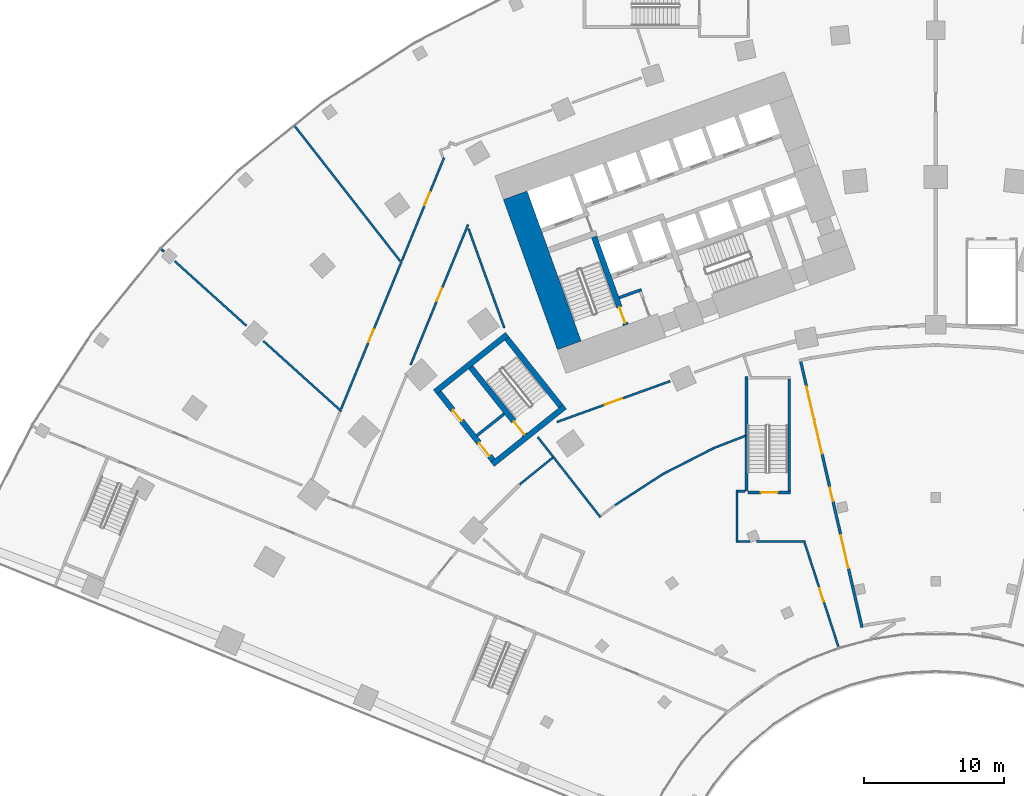
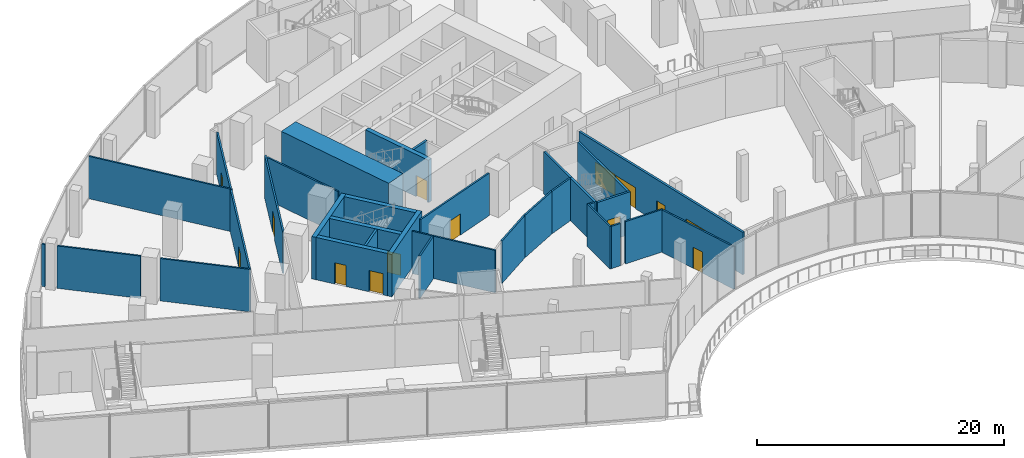
# One storey, part 22 of 40: 34 walls, 14 doors, 14 openings.
"""IFC4 building model written with IfcOpenShell, lengths in metres."""

from ifc_helpers import new_model, si_unit, direction, frame, frame_2d, origin, place, context, subcontext, project, spatial, rectangle, extrude, material, layer, layer_set, type_object, element, fill, save


model = new_model("IFC4")

# Units and contexts
model_context = context("Model", 3, precision=1e-05, world=origin(), true_north=direction((0.0, 1.0)))
body_context = subcontext(model_context, "Body", "Model", "MODEL_VIEW")
ifc_project = project(units=[si_unit("LENGTHUNIT", "METRE"), si_unit("AREAUNIT", "SQUARE_METRE"), si_unit("VOLUMEUNIT", "CUBIC_METRE"), si_unit("PLANEANGLEUNIT", "RADIAN"), si_unit("MASSUNIT", "GRAM", prefix="KILO")], contexts=[model_context])

# Site, building, storey
site_placement = place(None, origin())
site = spatial("IfcSite", under=ifc_project, at=site_placement, CompositionType="ELEMENT")
building_placement = place(site_placement, origin())
building = spatial("IfcBuilding", under=site, at=building_placement, Name="Stone Belt Terrace Tower", CompositionType="ELEMENT")
storey_placement = place(building_placement, frame((0.0, 0.0, 11.60009765625)))
storey = spatial("IfcBuildingStorey", under=building, at=storey_placement, Name="L02", CompositionType="ELEMENT", Elevation=11.60009765625)

# Wall
ifc_material_1 = material(Name="Concrete B80", Category="concrete")
ifc_layer_1 = layer(ifc_material_1, 1.800048828125)
ifc_layer_set_1 = layer_set([ifc_layer_1], Name="Core wall 1800 B80")
wall_type_1 = type_object("IfcWallType", Name="Core wall 1800 B80", PredefinedType="SHEAR", material=ifc_layer_set_1)
wall_1_placement = place(storey_placement, frame((-26.197509765625, 42.96728515625, 0.0), z_axis=(0.0, 0.0, 1.0), x_axis=(-0.338625431531, 0.940921259788, 0.0)))
element("IfcWall", 1, at=wall_1_placement, inside=storey, type_object=wall_type_1, Name="Core A wall end_a L02", PredefinedType="SHEAR", context=body_context, shape_type="SweptSolid", body=[
    extrude(rectangle(XDim=11.400146484375, YDim=1.800048828125, at=frame_2d((5.7001953125, 0.0))), origin(), (0.0, 0.0, 1.0), 4.599853515625),
])

# Wall, openings, doors
ifc_material_2 = material(Name="Blockwork wall, plastered both faces", Category="masonry")
ifc_layer_2 = layer(ifc_material_2, 0.199951171875)
ifc_layer_set_2 = layer_set([ifc_layer_2], Name="Podium demising wall 200")
wall_type_2 = type_object("IfcWallType", Name="Podium demising wall 200", PredefinedType="PARTITIONING", material=ifc_layer_set_2)
wall_2_placement = place(storey_placement, frame((-9.6474609375, 41.802490234375, 0.0), z_axis=(0.0, 0.0, 1.0), x_axis=(0.224629055361, -0.974444348071, 0.0)))
wall_2 = element("IfcWall", 2, at=wall_2_placement, inside=storey, type_object=wall_type_2, Name="Podium demising wall 200", PredefinedType="PARTITIONING", context=body_context, shape_type="SweptSolid", body=[
    extrude(rectangle(XDim=19.498291015625, YDim=0.199951171875, at=frame_2d((9.7490234375, 0.0))), origin(), (0.0, 0.0, 1.0), 4.199951171875),
])
opening_1_placement = place(wall_2_placement, frame((9.249267578125, 0.0, 0.0)))
opening_1 = element("IfcOpeningElement", 3, at=opening_1_placement, cuts=wall_2, Name="Opening L02-P11", PredefinedType="OPENING", context=body_context, shape_type="SweptSolid", body=[
    extrude(rectangle(XDim=1.0, YDim=2.10009765625, at=frame_2d((0.5, 1.050048828125))), frame((0.0, 0.10986328125, 0.0), z_axis=(0.0, -1.0, 0.0), x_axis=(1.0, 0.0, 0.0)), (0.0, 0.0, 1.0), 0.219970703125),
])
opening_2_placement = place(wall_2_placement, frame((4.349609375, 0.0, 0.0)))
opening_2 = element("IfcOpeningElement", 4, at=opening_2_placement, cuts=wall_2, Name="Opening L02-P42", PredefinedType="OPENING", context=body_context, shape_type="SweptSolid", body=[
    extrude(rectangle(XDim=2.39990234375, YDim=2.10009765625, at=frame_2d((1.199951171875, 1.050048828125))), frame((0.0, 0.10986328125, 0.0), z_axis=(0.0, -1.0, 0.0), x_axis=(1.0, 0.0, 0.0)), (0.0, 0.0, 1.0), 0.219970703125),
])
opening_3_placement = place(wall_2_placement, frame((12.748779296875, 0.0, 0.0)))
opening_3 = element("IfcOpeningElement", 5, at=opening_3_placement, cuts=wall_2, Name="Opening L02-P43", PredefinedType="OPENING", context=body_context, shape_type="SweptSolid", body=[
    extrude(rectangle(XDim=2.39990234375, YDim=2.10009765625, at=frame_2d((1.199951171875, 1.050048828125))), frame((0.0, 0.10986328125, 0.0), z_axis=(0.0, -1.0, 0.0), x_axis=(1.0, 0.0, 0.0)), (0.0, 0.0, 1.0), 0.219970703125),
])
opening_4_placement = place(wall_2_placement, frame((1.829833984375, 0.0, 0.0)))
opening_4 = element("IfcOpeningElement", 6, at=opening_4_placement, cuts=wall_2, Name="Opening L02-P44", PredefinedType="OPENING", context=body_context, shape_type="SweptSolid", body=[
    extrude(rectangle(XDim=2.39990234375, YDim=2.10009765625, at=frame_2d((1.199951171875, 1.050048828125))), frame((0.0, 0.10986328125, 0.0), z_axis=(0.0, -1.0, 0.0), x_axis=(1.0, 0.0, 0.0)), (0.0, 0.0, 1.0), 0.219970703125),
])
ifc_material_3 = material(Name="Steel framed door leaf", Category="steel")
door_type_1 = type_object("IfcDoorType", Name="Podium door assembly double 2400 x 2100", OperationType="DOUBLE_DOOR_SINGLE_SWING", PredefinedType="DOOR", material=ifc_material_3)
door_1_placement = place(opening_2_placement, origin())
door_1 = element("IfcDoor", 7, at=door_1_placement, inside=storey, type_object=door_type_1, Name="Podium door assembly double 2400", OperationType="DOUBLE_DOOR_SINGLE_SWING", OverallHeight=2.10009765625, OverallWidth=2.39990234375, PredefinedType="DOOR", context=body_context, shape_type="SweptSolid", body=[
    extrude(rectangle(XDim=2.39990234375, YDim=2.10009765625, at=frame_2d((1.199951171875, 1.050048828125))), frame((0.0, 0.02490234375, 0.0), z_axis=(0.0, -1.0, 0.0), x_axis=(1.0, 0.0, 0.0)), (0.0, 0.0, 1.0), 0.050048828125),
])
fill(opening_2, door_1)
door_2_placement = place(opening_3_placement, origin())
door_2 = element("IfcDoor", 8, at=door_2_placement, inside=storey, type_object=door_type_1, Name="Podium door assembly double 2400", OperationType="DOUBLE_DOOR_SINGLE_SWING", OverallHeight=2.10009765625, OverallWidth=2.39990234375, PredefinedType="DOOR", context=body_context, shape_type="SweptSolid", body=[
    extrude(rectangle(XDim=2.39990234375, YDim=2.10009765625, at=frame_2d((1.199951171875, 1.050048828125))), frame((0.0, 0.02490234375, 0.0), z_axis=(0.0, -1.0, 0.0), x_axis=(1.0, 0.0, 0.0)), (0.0, 0.0, 1.0), 0.050048828125),
])
fill(opening_3, door_2)
door_3_placement = place(opening_4_placement, origin())
door_3 = element("IfcDoor", 9, at=door_3_placement, inside=storey, type_object=door_type_1, Name="Podium door assembly double 2400", OperationType="DOUBLE_DOOR_SINGLE_SWING", OverallHeight=2.10009765625, OverallWidth=2.39990234375, PredefinedType="DOOR", context=body_context, shape_type="SweptSolid", body=[
    extrude(rectangle(XDim=2.39990234375, YDim=2.10009765625, at=frame_2d((1.199951171875, 1.050048828125))), frame((0.0, 0.02490234375, 0.0), z_axis=(0.0, -1.0, 0.0), x_axis=(1.0, 0.0, 0.0)), (0.0, 0.0, 1.0), 0.050048828125),
])
fill(opening_4, door_3)
door_type_2 = type_object("IfcDoorType", Name="Podium door single 1000", OperationType="SINGLE_SWING_LEFT", PredefinedType="DOOR", material=ifc_material_3)
door_4_placement = place(opening_1_placement, origin())
door_4 = element("IfcDoor", 10, at=door_4_placement, inside=storey, type_object=door_type_2, Name="Podium door single 1000", OperationType="SINGLE_SWING_LEFT", OverallHeight=2.10009765625, OverallWidth=1.0, PredefinedType="DOOR", context=body_context, shape_type="SweptSolid", body=[
    extrude(rectangle(XDim=1.0, YDim=2.10009765625, at=frame_2d((0.5, 1.050048828125))), frame((0.0, 0.02490234375, 0.0), z_axis=(0.0, -1.0, 0.0), x_axis=(1.0, 0.0, 0.0)), (0.0, 0.0, 1.0), 0.050048828125),
])
fill(opening_1, door_4)

# Walls
ifc_material_4 = material(Name="Gypsum board on steel stud partition", Category="steel")
ifc_layer_3 = layer(ifc_material_4, 0.14990234375)
ifc_layer_set_3 = layer_set([ifc_layer_3], Name="Podium partition 150")
wall_type_3 = type_object("IfcWallType", Name="Podium partition 150", PredefinedType="PARTITIONING", material=ifc_layer_set_3)
wall_3_placement = place(storey_placement, frame((-55.362548828125, 49.852294921875, 0.0), z_axis=(0.0, 0.0, 1.0), x_axis=(0.742923696938, -0.669376112905, 0.0)))
element("IfcWall", 11, at=wall_3_placement, inside=storey, type_object=wall_type_3, Name="Podium partition 150", PredefinedType="PARTITIONING", context=body_context, shape_type="SweptSolid", body=[
    extrude(rectangle(XDim=0.26220703125, YDim=0.14990234375, at=frame_2d((0.131103515625, 0.0))), origin(), (0.0, 0.0, 1.0), 4.199951171875),
])
wall_4_placement = place(storey_placement, frame((-54.409912109375, 48.994140625, 0.0), z_axis=(0.0, 0.0, 1.0), x_axis=(0.742967717322, -0.669327252559, 0.0)))
element("IfcWall", 12, at=wall_4_placement, inside=storey, type_object=wall_type_3, Name="Podium partition 150", PredefinedType="PARTITIONING", context=body_context, shape_type="SweptSolid", body=[
    extrude(rectangle(XDim=6.9189453125, YDim=0.14990234375, at=frame_2d((3.45947265625, 0.0))), origin(), (0.0, 0.0, 1.0), 4.199951171875),
])
wall_5_placement = place(storey_placement, frame((-48.065673828125, 43.27880859375, 0.0), z_axis=(0.0, 0.0, 1.0), x_axis=(0.742978582144, -0.669315192174, 0.0)))
element("IfcWall", 13, at=wall_5_placement, inside=storey, type_object=wall_type_3, Name="Podium partition 150", PredefinedType="PARTITIONING", context=body_context, shape_type="SweptSolid", body=[
    extrude(rectangle(XDim=7.50341796875, YDim=0.14990234375, at=frame_2d((3.751708984375, 0.0))), origin(), (0.0, 0.0, 1.0), 4.199951171875),
])
wall_6_placement = place(storey_placement, frame((-45.868896484375, 58.705078125, 0.0), z_axis=(0.0, 0.0, 1.0), x_axis=(0.615577105383, -0.788076663357, 0.0)))
element("IfcWall", 14, at=wall_6_placement, inside=storey, type_object=wall_type_3, Name="Podium partition 150", PredefinedType="PARTITIONING", context=body_context, shape_type="SweptSolid", body=[
    extrude(rectangle(XDim=12.5283203125, YDim=0.14990234375, at=frame_2d((6.26416015625, 0.0))), origin(), (0.0, 0.0, 1.0), 4.199951171875),
])

# Wall, opening, door
wall_7_placement = place(storey_placement, frame((-42.50927734375, 38.40966796875, 0.0), z_axis=(0.0, 0.0, 1.0), x_axis=(0.378917297075, 0.92543053871, 0.0)))
wall_7 = element("IfcWall", 15, at=wall_7_placement, inside=storey, type_object=wall_type_3, Name="Podium partition 150", PredefinedType="PARTITIONING", context=body_context, shape_type="SweptSolid", body=[
    extrude(rectangle(XDim=11.228515625, YDim=0.14990234375, at=frame_2d((5.6142578125, 0.0))), origin(), (0.0, 0.0, 1.0), 4.199951171875),
])
opening_5_placement = place(wall_7_placement, frame((5.1591796875, 0.0, 0.0)))
opening_5 = element("IfcOpeningElement", 16, at=opening_5_placement, cuts=wall_7, Name="Opening L02-P23", PredefinedType="OPENING", context=body_context, shape_type="SweptSolid", body=[
    extrude(rectangle(XDim=1.0, YDim=2.10009765625, at=frame_2d((0.5, 1.050048828125))), frame((0.0, 0.0849609375, 0.0), z_axis=(0.0, -1.0, 0.0), x_axis=(1.0, 0.0, 0.0)), (0.0, 0.0, 1.0), 0.169921875),
])
door_5_placement = place(opening_5_placement, origin())
door_5 = element("IfcDoor", 17, at=door_5_placement, inside=storey, type_object=door_type_2, Name="Podium door single 1000", OperationType="SINGLE_SWING_LEFT", OverallHeight=2.10009765625, OverallWidth=1.0, PredefinedType="DOOR", context=body_context, shape_type="SweptSolid", body=[
    extrude(rectangle(XDim=1.0, YDim=2.10009765625, at=frame_2d((0.5, 1.050048828125))), frame((0.0, 0.02490234375, 0.0), z_axis=(0.0, -1.0, 0.0), x_axis=(1.0, 0.0, 0.0)), (0.0, 0.0, 1.0), 0.050048828125),
])
fill(opening_5, door_5)

wall_8_placement = place(storey_placement, frame((-37.53515625, 41.58251953125, 0.0), z_axis=(0.0, 0.0, 1.0), x_axis=(0.379278787713, 0.925282444009, 0.0)))
wall_8 = element("IfcWall", 18, at=wall_8_placement, inside=storey, type_object=wall_type_3, Name="Podium partition 150", PredefinedType="PARTITIONING", context=body_context, shape_type="SweptSolid", body=[
    extrude(rectangle(XDim=10.830322265625, YDim=0.14990234375, at=frame_2d((5.4150390625, 0.0))), origin(), (0.0, 0.0, 1.0), 4.199951171875),
])
opening_6_placement = place(wall_8_placement, frame((4.9150390625, 0.0, 0.0)))
opening_6 = element("IfcOpeningElement", 19, at=opening_6_placement, cuts=wall_8, Name="Opening L02-P25", PredefinedType="OPENING", context=body_context, shape_type="SweptSolid", body=[
    extrude(rectangle(XDim=1.0, YDim=2.10009765625, at=frame_2d((0.5, 1.050048828125))), frame((0.0, 0.0849609375, 0.0), z_axis=(0.0, -1.0, 0.0), x_axis=(1.0, 0.0, 0.0)), (0.0, 0.0, 1.0), 0.169921875),
])
door_6_placement = place(opening_6_placement, origin())
door_6 = element("IfcDoor", 20, at=door_6_placement, inside=storey, type_object=door_type_2, Name="Podium door single 1000", OperationType="SINGLE_SWING_LEFT", OverallHeight=2.10009765625, OverallWidth=1.0, PredefinedType="DOOR", context=body_context, shape_type="SweptSolid", body=[
    extrude(rectangle(XDim=1.0, YDim=2.10009765625, at=frame_2d((0.5, 1.050048828125))), frame((0.0, 0.02490234375, 0.0), z_axis=(0.0, -1.0, 0.0), x_axis=(1.0, 0.0, 0.0)), (0.0, 0.0, 1.0), 0.050048828125),
])
fill(opening_6, door_6)

wall_9_placement = place(storey_placement, frame((-38.161376953125, 49.018798828125, 0.0), z_axis=(0.0, 0.0, 1.0), x_axis=(0.378710493951, 0.925515187218, 0.0)))
wall_9 = element("IfcWall", 21, at=wall_9_placement, inside=storey, type_object=wall_type_3, Name="Podium partition 150", PredefinedType="PARTITIONING", context=body_context, shape_type="SweptSolid", body=[
    extrude(rectangle(XDim=7.957763671875, YDim=0.14990234375, at=frame_2d((3.97900390625, 0.0))), origin(), (0.0, 0.0, 1.0), 4.199951171875),
])
opening_7_placement = place(wall_9_placement, frame((4.29541015625, 0.0, 0.0)))
opening_7 = element("IfcOpeningElement", 22, at=opening_7_placement, cuts=wall_9, Name="Opening L02-P26", PredefinedType="OPENING", context=body_context, shape_type="SweptSolid", body=[
    extrude(rectangle(XDim=1.0, YDim=2.10009765625, at=frame_2d((0.5, 1.050048828125))), frame((0.0, 0.0849609375, 0.0), z_axis=(0.0, -1.0, 0.0), x_axis=(1.0, 0.0, 0.0)), (0.0, 0.0, 1.0), 0.169921875),
])
door_7_placement = place(opening_7_placement, origin())
door_7 = element("IfcDoor", 23, at=door_7_placement, inside=storey, type_object=door_type_2, Name="Podium door single 1000", OperationType="SINGLE_SWING_RIGHT", OverallHeight=2.10009765625, OverallWidth=1.0, PredefinedType="DOOR", context=body_context, shape_type="SweptSolid", body=[
    extrude(rectangle(XDim=1.0, YDim=2.10009765625, at=frame_2d((0.5, 1.050048828125))), frame((0.0, 0.02490234375, 0.0), z_axis=(0.0, -1.0, 0.0), x_axis=(1.0, 0.0, 0.0)), (0.0, 0.0, 1.0), 0.050048828125),
])
fill(opening_7, door_7)

# Walls
wall_10_placement = place(storey_placement, frame((-33.404296875, 51.317626953125, 0.0), z_axis=(0.0, 0.0, 1.0), x_axis=(0.339357821351, -0.940657360088, 0.0)))
element("IfcWall", 24, at=wall_10_placement, inside=storey, type_object=wall_type_3, Name="Podium partition 150", PredefinedType="PARTITIONING", context=body_context, shape_type="SweptSolid", body=[
    extrude(rectangle(XDim=7.55615234375, YDim=0.14990234375, at=frame_2d((3.778076171875, 0.0))), origin(), (0.0, 0.0, 1.0), 4.199951171875),
])
wall_11_placement = place(storey_placement, frame((-29.73681640625, 33.032470703125, 0.0), z_axis=(0.0, 0.0, 1.0), x_axis=(0.777387872462, 0.629021538383, 0.0)))
element("IfcWall", 25, at=wall_11_placement, inside=storey, type_object=wall_type_3, Name="Podium partition 150", PredefinedType="PARTITIONING", context=body_context, shape_type="SweptSolid", body=[
    extrude(rectangle(XDim=3.021240234375, YDim=0.14990234375, at=frame_2d((1.5107421875, 0.0))), origin(), (0.0, 0.0, 1.0), 4.199951171875),
])
wall_12_placement = place(storey_placement, frame((-28.449951171875, 36.409912109375, 0.0), z_axis=(0.0, 0.0, 1.0), x_axis=(0.61658005708, -0.787292215897, 0.0)))
element("IfcWall", 26, at=wall_12_placement, inside=storey, type_object=wall_type_3, Name="Podium partition 150", PredefinedType="PARTITIONING", context=body_context, shape_type="SweptSolid", body=[
    extrude(rectangle(XDim=1.816162109375, YDim=0.14990234375, at=frame_2d((0.908203125, 0.0))), origin(), (0.0, 0.0, 1.0), 4.199951171875),
])
wall_13_placement = place(storey_placement, frame((-27.330078125, 34.97998046875, 0.0), z_axis=(0.0, 0.0, 1.0), x_axis=(0.615614582687, -0.788047387904, 0.0)))
element("IfcWall", 27, at=wall_13_placement, inside=storey, type_object=wall_type_3, Name="Podium partition 150", PredefinedType="PARTITIONING", context=body_context, shape_type="SweptSolid", body=[
    extrude(rectangle(XDim=5.468017578125, YDim=0.14990234375, at=frame_2d((2.73388671875, 0.0))), origin(), (0.0, 0.0, 1.0), 4.199951171875),
])

# Wall, opening, door
wall_14_placement = place(storey_placement, frame((-27.080078125, 37.489990234375, 0.0), z_axis=(0.0, 0.0, 1.0), x_axis=(0.940715457959, 0.339196738129, 0.0)))
wall_14 = element("IfcWall", 28, at=wall_14_placement, inside=storey, type_object=wall_type_3, Name="Podium partition 150", PredefinedType="PARTITIONING", context=body_context, shape_type="SweptSolid", body=[
    extrude(rectangle(XDim=8.603271484375, YDim=0.14990234375, at=frame_2d((4.3017578125, 0.0))), origin(), (0.0, 0.0, 1.0), 4.199951171875),
])
opening_8_placement = place(wall_14_placement, frame((3.651611328125, 0.0, 0.0)))
opening_8 = element("IfcOpeningElement", 29, at=opening_8_placement, cuts=wall_14, Name="Opening L02-P27", PredefinedType="OPENING", context=body_context, shape_type="SweptSolid", body=[
    extrude(rectangle(XDim=1.300048828125, YDim=2.10009765625, at=frame_2d((0.64990234375, 1.050048828125))), frame((0.0, 0.0849609375, 0.0), z_axis=(0.0, -1.0, 0.0), x_axis=(1.0, 0.0, 0.0)), (0.0, 0.0, 1.0), 0.169921875),
])
ifc_material_5 = material(Name="Steel framed fire door leaf", Category="steel")
door_type_3 = type_object("IfcDoorType", Name="Fire door 1300 x 2100 EI 60", OperationType="SINGLE_SWING_LEFT", PredefinedType="DOOR", material=ifc_material_5)
door_8_placement = place(opening_8_placement, origin())
door_8 = element("IfcDoor", 30, at=door_8_placement, inside=storey, type_object=door_type_3, Name="Fire door 1300 x 2100 EI 60", OperationType="SINGLE_SWING_LEFT", OverallHeight=2.10009765625, OverallWidth=1.300048828125, PredefinedType="DOOR", context=body_context, shape_type="SweptSolid", body=[
    extrude(rectangle(XDim=1.300048828125, YDim=2.10009765625, at=frame_2d((0.64990234375, 1.050048828125))), frame((0.0, 0.02490234375, 0.0), z_axis=(0.0, -1.0, 0.0), x_axis=(1.0, 0.0, 0.0)), (0.0, 0.0, 1.0), 0.050048828125),
])
fill(opening_8, door_8)

# Walls
wall_15_placement = place(storey_placement, frame((-22.917724609375, 31.551513671875, 0.0), z_axis=(0.0, 0.0, 1.0), x_axis=(0.838779181178, 0.544471748783, 0.0)))
element("IfcWall", 31, at=wall_15_placement, inside=storey, type_object=wall_type_3, Name="Podium partition 150", PredefinedType="PARTITIONING", context=body_context, shape_type="SweptSolid", body=[
    extrude(rectangle(XDim=4.070556640625, YDim=0.14990234375, at=frame_2d((2.03515625, 0.0))), origin(), (0.0, 0.0, 1.0), 4.199951171875),
])
wall_16_placement = place(storey_placement, frame((-19.49658203125, 33.771728515625, 0.0), z_axis=(0.0, 0.0, 1.0), x_axis=(0.89047940562, 0.455023546827, 0.0)))
element("IfcWall", 32, at=wall_16_placement, inside=storey, type_object=wall_type_3, Name="Podium partition 150", PredefinedType="PARTITIONING", context=body_context, shape_type="SweptSolid", body=[
    extrude(rectangle(XDim=4.079833984375, YDim=0.14990234375, at=frame_2d((2.0400390625, 0.0))), origin(), (0.0, 0.0, 1.0), 4.199951171875),
])
wall_17_placement = place(storey_placement, frame((-15.8564453125, 35.63134765625, 0.0), z_axis=(0.0, 0.0, 1.0), x_axis=(0.932822255323, 0.360336842377, 0.0)))
element("IfcWall", 33, at=wall_17_placement, inside=storey, type_object=wall_type_3, Name="Podium partition 150", PredefinedType="PARTITIONING", context=body_context, shape_type="SweptSolid", body=[
    extrude(rectangle(XDim=2.397216796875, YDim=0.14990234375, at=frame_2d((1.19873046875, 0.0))), origin(), (0.0, 0.0, 1.0), 4.199951171875),
])
wall_18_placement = place(storey_placement, frame((-14.199951171875, 28.864990234375, 0.0), z_axis=(0.0, 0.0, 1.0), x_axis=(0.0, 1.0, 0.0)))
element("IfcWall", 34, at=wall_18_placement, inside=storey, type_object=wall_type_3, Name="Podium partition 150", PredefinedType="PARTITIONING", context=body_context, shape_type="SweptSolid", body=[
    extrude(rectangle(XDim=3.75, YDim=0.14990234375, at=frame_2d((1.875, 0.0))), origin(), (0.0, 0.0, 1.0), 4.199951171875),
])
wall_19_placement = place(storey_placement, frame((-14.125, 28.93994140625, 0.0), z_axis=(0.0, 0.0, 1.0), x_axis=(1.0, 0.0, 0.0)))
element("IfcWall", 35, at=wall_19_placement, inside=storey, type_object=wall_type_3, Name="Podium partition 150", PredefinedType="PARTITIONING", context=body_context, shape_type="SweptSolid", body=[
    extrude(rectangle(XDim=0.83544921875, YDim=0.14990234375, at=frame_2d((0.417724609375, 0.0))), origin(), (0.0, 0.0, 1.0), 4.199951171875),
])
wall_20_placement = place(storey_placement, frame((-12.822998046875, 28.93994140625, 0.0), z_axis=(0.0, 0.0, 1.0), x_axis=(1.0, 0.0, 0.0)))
element("IfcWall", 36, at=wall_20_placement, inside=storey, type_object=wall_type_3, Name="Podium partition 150", PredefinedType="PARTITIONING", context=body_context, shape_type="SweptSolid", body=[
    extrude(rectangle(XDim=3.501953125, YDim=0.14990234375, at=frame_2d((1.7509765625, 0.0))), origin(), (0.0, 0.0, 1.0), 4.199951171875),
])
wall_21_placement = place(storey_placement, frame((-14.125, 32.5400390625, 0.0), z_axis=(0.0, 0.0, 1.0), x_axis=(1.0, 0.0, 0.0)))
element("IfcWall", 37, at=wall_21_placement, inside=storey, type_object=wall_type_3, Name="Podium partition 150", PredefinedType="PARTITIONING", context=body_context, shape_type="SweptSolid", body=[
    extrude(rectangle(XDim=0.4951171875, YDim=0.14990234375, at=frame_2d((0.24755859375, 0.0))), origin(), (0.0, 0.0, 1.0), 4.199951171875),
])

# Wall, opening, door
wall_22_placement = place(storey_placement, frame((-9.37548828125, 28.864990234375, 0.0), z_axis=(0.0, 0.0, 1.0), x_axis=(0.309015037638, -0.951057152075, 0.0)))
wall_22 = element("IfcWall", 38, at=wall_22_placement, inside=storey, type_object=wall_type_3, Name="Podium partition 150", PredefinedType="PARTITIONING", context=body_context, shape_type="SweptSolid", body=[
    extrude(rectangle(XDim=7.849365234375, YDim=0.14990234375, at=frame_2d((3.9248046875, 0.0))), origin(), (0.0, 0.0, 1.0), 4.199951171875),
])
opening_9_placement = place(wall_22_placement, frame((3.424560546875, 0.0, 0.0)))
opening_9 = element("IfcOpeningElement", 39, at=opening_9_placement, cuts=wall_22, Name="Opening L02-P24", PredefinedType="OPENING", context=body_context, shape_type="SweptSolid", body=[
    extrude(rectangle(XDim=1.0, YDim=2.10009765625, at=frame_2d((0.5, 1.050048828125))), frame((0.0, 0.0849609375, 0.0), z_axis=(0.0, -1.0, 0.0), x_axis=(1.0, 0.0, 0.0)), (0.0, 0.0, 1.0), 0.169921875),
])
door_9_placement = place(opening_9_placement, origin())
door_9 = element("IfcDoor", 40, at=door_9_placement, inside=storey, type_object=door_type_2, Name="Podium door single 1000", OperationType="SINGLE_SWING_RIGHT", OverallHeight=2.10009765625, OverallWidth=1.0, PredefinedType="DOOR", context=body_context, shape_type="SweptSolid", body=[
    extrude(rectangle(XDim=1.0, YDim=2.10009765625, at=frame_2d((0.5, 1.050048828125))), frame((0.0, 0.02490234375, 0.0), z_axis=(0.0, -1.0, 0.0), x_axis=(1.0, 0.0, 0.0)), (0.0, 0.0, 1.0), 0.050048828125),
])
fill(opening_9, door_9)

ifc_material_6 = material(Name="Concrete B30", Category="concrete")
ifc_layer_4 = layer(ifc_material_6, 0.199951171875)
ifc_layer_set_4 = layer_set([ifc_layer_4], Name="Podium stair and shaft wall 200")
wall_type_4 = type_object("IfcWallType", Name="Podium stair and shaft wall 200", PredefinedType="SOLIDWALL", material=ifc_layer_set_4)
wall_23_placement = place(storey_placement, frame((-13.429931640625, 32.43994140625, 0.0), z_axis=(0.0, 0.0, 1.0), x_axis=(1.0, 0.0, 0.0)))
wall_23 = element("IfcWall", 41, at=wall_23_placement, inside=storey, type_object=wall_type_4, Name="Podium stair and shaft wall 200", PredefinedType="SOLIDWALL", context=body_context, shape_type="SweptSolid", body=[
    extrude(rectangle(XDim=3.059814453125, YDim=0.199951171875, at=frame_2d((1.52978515625, 0.0))), origin(), (0.0, 0.0, 1.0), 4.199951171875),
])
opening_10_placement = place(wall_23_placement, frame((0.929931640625, 0.0, 0.0)))
opening_10 = element("IfcOpeningElement", 42, at=opening_10_placement, cuts=wall_23, Name="Opening L02-P05", PredefinedType="OPENING", context=body_context, shape_type="SweptSolid", body=[
    extrude(rectangle(XDim=1.199951171875, YDim=2.10009765625, at=frame_2d((0.60009765625, 1.050048828125))), frame((0.0, 0.10986328125, 0.0), z_axis=(0.0, -1.0, 0.0), x_axis=(1.0, 0.0, 0.0)), (0.0, 0.0, 1.0), 0.219970703125),
])
door_type_4 = type_object("IfcDoorType", Name="Podium door fire stair 1200", OperationType="SINGLE_SWING_LEFT", PredefinedType="DOOR", material=ifc_material_3)
door_10_placement = place(opening_10_placement, origin())
door_10 = element("IfcDoor", 43, at=door_10_placement, inside=storey, type_object=door_type_4, Name="Podium door fire stair 1200", OperationType="SINGLE_SWING_LEFT", OverallHeight=2.10009765625, OverallWidth=1.199951171875, PredefinedType="DOOR", context=body_context, shape_type="SweptSolid", body=[
    extrude(rectangle(XDim=1.199951171875, YDim=2.10009765625, at=frame_2d((0.60009765625, 1.050048828125))), frame((0.0, 0.02490234375, 0.0), z_axis=(0.0, -1.0, 0.0), x_axis=(1.0, 0.0, 0.0)), (0.0, 0.0, 1.0), 0.050048828125),
])
fill(opening_10, door_10)

# Walls
wall_24_placement = place(storey_placement, frame((-13.530029296875, 32.5400390625, 0.0), z_axis=(0.0, 0.0, 1.0), x_axis=(0.0, 1.0, 0.0)))
element("IfcWall", 44, at=wall_24_placement, inside=storey, type_object=wall_type_4, Name="Podium stair and shaft wall 200", PredefinedType="SOLIDWALL", context=body_context, shape_type="SweptSolid", body=[
    extrude(rectangle(XDim=3.97998046875, YDim=0.199951171875, at=frame_2d((1.989990234375, 0.0))), origin(), (0.0, 0.0, 1.0), 4.199951171875),
])
wall_25_placement = place(storey_placement, frame((-13.530029296875, 36.52001953125, 0.0), z_axis=(0.0, 0.0, 1.0), x_axis=(0.0, 1.0, 0.0)))
element("IfcWall", 45, at=wall_25_placement, inside=storey, type_object=wall_type_4, Name="Podium stair and shaft wall 200", PredefinedType="SOLIDWALL", context=body_context, shape_type="SweptSolid", body=[
    extrude(rectangle(XDim=4.239990234375, YDim=0.199951171875, at=frame_2d((2.1201171875, 0.0))), origin(), (0.0, 0.0, 1.0), 4.199951171875),
])
wall_26_placement = place(storey_placement, frame((-10.469970703125, 32.5400390625, 0.0), z_axis=(0.0, 0.0, 1.0), x_axis=(0.0, 1.0, 0.0)))
element("IfcWall", 46, at=wall_26_placement, inside=storey, type_object=wall_type_4, Name="Podium stair and shaft wall 200", PredefinedType="SOLIDWALL", context=body_context, shape_type="SweptSolid", body=[
    extrude(rectangle(XDim=8.02001953125, YDim=0.199951171875, at=frame_2d((4.010009765625, 0.0))), origin(), (0.0, 0.0, 1.0), 4.199951171875),
])
ifc_material_7 = material(Name="Concrete masonry block", Category="masonry")
ifc_layer_5 = layer(ifc_material_7, 0.199951171875)
ifc_layer_set_5 = layer_set([ifc_layer_5], Name="Rated lobby wall 200")
wall_type_5 = type_object("IfcWallType", Name="Rated lobby wall 200", PredefinedType="PARTITIONING", material=ifc_layer_set_5)
wall_27_placement = place(storey_placement, frame((-22.640625, 46.373046875, 0.0), z_axis=(0.0, 0.0, 1.0), x_axis=(0.940966110313, 0.338500781747, 0.0)))
element("IfcWall", 47, at=wall_27_placement, inside=storey, type_object=wall_type_5, Name="Core A wall", PredefinedType="PARTITIONING", context=body_context, shape_type="SweptSolid", body=[
    extrude(rectangle(XDim=1.699951171875, YDim=0.199951171875, at=frame_2d((0.85009765625, 0.0))), origin(), (0.0, 0.0, 1.0), 4.199951171875),
])
wall_28_placement = place(storey_placement, frame((-30.845703125, 38.074951171875, 0.0), z_axis=(0.0, 0.0, 1.0), x_axis=(-0.782115323833, -0.623133709749, 0.0)))
element("IfcWall", 48, at=wall_28_placement, inside=storey, type_object=wall_type_5, Name="Exit stair ST3A wall", PredefinedType="PARTITIONING", context=body_context, shape_type="SweptSolid", body=[
    extrude(rectangle(XDim=2.5, YDim=0.199951171875, at=frame_2d((1.25, 0.0))), origin(), (0.0, 0.0, 1.0), 4.199951171875),
])

# Wall, opening, door
ifc_layer_6 = layer(ifc_material_1, 0.39990234375)
ifc_layer_set_6 = layer_set([ifc_layer_6], Name="Stair enclosure wall 400")
wall_type_6 = type_object("IfcWallType", Name="Stair enclosure wall 400", PredefinedType="SHEAR", material=ifc_layer_set_6)
wall_29_placement = place(storey_placement, frame((-22.151611328125, 44.42333984375, 0.0), z_axis=(0.0, 0.0, 1.0), x_axis=(-0.338625272931, 0.940921316866, 0.0)))
wall_29 = element("IfcWall", 49, at=wall_29_placement, inside=storey, type_object=wall_type_6, Name="Core A wall", PredefinedType="SHEAR", context=body_context, shape_type="SweptSolid", body=[
    extrude(rectangle(XDim=6.699951171875, YDim=0.39990234375, at=frame_2d((3.35009765625, 0.0))), origin(), (0.0, 0.0, 1.0), 4.199951171875),
])
opening_11_placement = place(wall_29_placement, frame((0.14990234375, 0.0, 0.0)))
opening_11 = element("IfcOpeningElement", 50, at=opening_11_placement, cuts=wall_29, Name="Opening L02-C03", PredefinedType="OPENING", context=body_context, shape_type="SweptSolid", body=[
    extrude(rectangle(XDim=1.199951171875, YDim=2.10009765625, at=frame_2d((0.60009765625, 1.050048828125))), frame((0.0, 0.2099609375, 0.0), z_axis=(0.0, -1.0, 0.0), x_axis=(1.0, 0.0, 0.0)), (0.0, 0.0, 1.0), 0.419921875),
])
ifc_material_8 = material(Name="Steel door leaf", Category="steel")
door_type_5 = type_object("IfcDoorType", Name="Stair door 1200", OperationType="SINGLE_SWING_LEFT", PredefinedType="DOOR", material=ifc_material_8)
door_11_placement = place(opening_11_placement, origin())
door_11 = element("IfcDoor", 51, at=door_11_placement, inside=storey, type_object=door_type_5, Name="Stair 1 door core A", OperationType="SINGLE_SWING_LEFT", OverallHeight=2.10009765625, OverallWidth=1.199951171875, PredefinedType="DOOR", context=body_context, shape_type="SweptSolid", body=[
    extrude(rectangle(XDim=1.199951171875, YDim=2.10009765625, at=frame_2d((0.60009765625, 1.050048828125))), frame((0.0, 0.02490234375, 0.0), z_axis=(0.0, -1.0, 0.0), x_axis=(1.0, 0.0, 0.0)), (0.0, 0.0, 1.0), 0.050048828125),
])
fill(opening_11, door_11)

# Walls
for number, where, z_axis, x_axis, name in (
    (52, (-26.518798828125, 38.58154296875, 0.0), (0.0, 0.0, 1.0), (-0.782133914161, -0.623110375711, 0.0), "Exit stair ST3A wall"),
    (53, (-30.63134765625, 43.74365234375, 0.0), (0.0, 0.0, 1.0), (-0.782133914161, -0.623110375711, 0.0), "Exit stair ST3A wall"),
):
    element("IfcWall", number, at=place(storey_placement, frame(where, z_axis=z_axis, x_axis=x_axis)), inside=storey, type_object=wall_type_6, Name=name, PredefinedType="SHEAR", context=body_context, shape_type="SweptSolid", body=[
        extrude(rectangle(XDim=6.60009765625, YDim=0.39990234375, at=frame_2d((3.300048828125, 0.0))), origin(), (0.0, 0.0, 1.0), 4.199951171875),
    ])
wall_30_placement = place(storey_placement, frame((-26.7998046875, 38.61328125, 0.0), z_axis=(0.0, 0.0, 1.0), x_axis=(-0.623118653668, 0.782127319208, 0.0)))
element("IfcWall", 54, at=wall_30_placement, inside=storey, type_object=wall_type_6, Name="Exit stair ST3A wall", PredefinedType="SHEAR", context=body_context, shape_type="SweptSolid", body=[
    extrude(rectangle(XDim=6.199951171875, YDim=0.39990234375, at=frame_2d((3.10009765625, 0.0))), origin(), (0.0, 0.0, 1.0), 4.199951171875),
])

# Wall, openings, doors
wall_31_placement = place(storey_placement, frame((-31.64892578125, 34.75, 0.0), z_axis=(0.0, 0.0, 1.0), x_axis=(-0.623118653668, 0.782127319208, 0.0)))
wall_31 = element("IfcWall", 55, at=wall_31_placement, inside=storey, type_object=wall_type_6, Name="Exit stair ST3A wall", PredefinedType="SHEAR", context=body_context, shape_type="SweptSolid", body=[
    extrude(rectangle(XDim=6.199951171875, YDim=0.39990234375, at=frame_2d((3.10009765625, 0.0))), origin(), (0.0, 0.0, 1.0), 4.199951171875),
])
opening_12_placement = place(wall_31_placement, frame((0.39990234375, 0.0, 0.0)))
opening_12 = element("IfcOpeningElement", 56, at=opening_12_placement, cuts=wall_31, Name="Opening L02-C20", PredefinedType="OPENING", context=body_context, shape_type="SweptSolid", body=[
    extrude(rectangle(XDim=1.199951171875, YDim=2.10009765625, at=frame_2d((0.60009765625, 1.050048828125))), frame((0.0, 0.2099609375, 0.0), z_axis=(0.0, -1.0, 0.0), x_axis=(1.0, 0.0, 0.0)), (0.0, 0.0, 1.0), 0.419921875),
])
opening_13_placement = place(wall_31_placement, frame((3.60009765625, 0.0, 0.0)))
opening_13 = element("IfcOpeningElement", 57, at=opening_13_placement, cuts=wall_31, Name="Opening L02-C21", PredefinedType="OPENING", context=body_context, shape_type="SweptSolid", body=[
    extrude(rectangle(XDim=1.0, YDim=2.10009765625, at=frame_2d((0.5, 1.050048828125))), frame((0.0, 0.2099609375, 0.0), z_axis=(0.0, -1.0, 0.0), x_axis=(1.0, 0.0, 0.0)), (0.0, 0.0, 1.0), 0.419921875),
])
ifc_material_9 = material(Name="Timber door leaf", Category="wood")
door_type_6 = type_object("IfcDoorType", Name="Core room door 1000", OperationType="SINGLE_SWING_LEFT", PredefinedType="DOOR", material=ifc_material_9)
door_12_placement = place(opening_13_placement, origin())
door_12 = element("IfcDoor", 58, at=door_12_placement, inside=storey, type_object=door_type_6, Name="Door to stair pressurisation plant room ST3A", OperationType="SINGLE_SWING_RIGHT", OverallHeight=2.10009765625, OverallWidth=1.0, PredefinedType="DOOR", context=body_context, shape_type="SweptSolid", body=[
    extrude(rectangle(XDim=1.0, YDim=2.10009765625, at=frame_2d((0.5, 1.050048828125))), frame((0.0, 0.02490234375, 0.0), z_axis=(0.0, -1.0, 0.0), x_axis=(1.0, 0.0, 0.0)), (0.0, 0.0, 1.0), 0.050048828125),
])
fill(opening_13, door_12)
door_type_7 = type_object("IfcDoorType", Name="Stair airlock door 1200", OperationType="SINGLE_SWING_LEFT", PredefinedType="DOOR", material=ifc_material_8)
door_13_placement = place(opening_12_placement, origin())
door_13 = element("IfcDoor", 59, at=door_13_placement, inside=storey, type_object=door_type_7, Name="Stair airlock door ST3A", OperationType="SINGLE_SWING_RIGHT", OverallHeight=2.10009765625, OverallWidth=1.199951171875, PredefinedType="DOOR", context=body_context, shape_type="SweptSolid", body=[
    extrude(rectangle(XDim=1.199951171875, YDim=2.10009765625, at=frame_2d((0.60009765625, 1.050048828125))), frame((0.0, 0.02490234375, 0.0), z_axis=(0.0, -1.0, 0.0), x_axis=(1.0, 0.0, 0.0)), (0.0, 0.0, 1.0), 0.050048828125),
])
fill(opening_12, door_13)

# Wall, opening, door
wall_32_placement = place(storey_placement, frame((-29.380859375, 36.556884765625, 0.0), z_axis=(0.0, 0.0, 1.0), x_axis=(-0.623099462847, 0.782142608097, 0.0)))
wall_32 = element("IfcWall", 60, at=wall_32_placement, inside=storey, type_object=wall_type_6, Name="Exit stair ST3A wall", PredefinedType="SHEAR", context=body_context, shape_type="SweptSolid", body=[
    extrude(rectangle(XDim=6.2001953125, YDim=0.39990234375, at=frame_2d((3.10009765625, 0.0))), origin(), (0.0, 0.0, 1.0), 4.199951171875),
])
opening_14_placement = place(wall_32_placement, frame((0.050048828125, 0.0, 0.0)))
opening_14 = element("IfcOpeningElement", 61, at=opening_14_placement, cuts=wall_32, Name="Opening L02-C19", PredefinedType="OPENING", context=body_context, shape_type="SweptSolid", body=[
    extrude(rectangle(XDim=1.199951171875, YDim=2.10009765625, at=frame_2d((0.60009765625, 1.050048828125))), frame((0.0, 0.2099609375, 0.0), z_axis=(0.0, -1.0, 0.0), x_axis=(1.0, 0.0, 0.0)), (0.0, 0.0, 1.0), 0.419921875),
])
door_14_placement = place(opening_14_placement, origin())
door_14 = element("IfcDoor", 62, at=door_14_placement, inside=storey, type_object=door_type_5, Name="Stair door ST3A", OperationType="SINGLE_SWING_LEFT", OverallHeight=2.10009765625, OverallWidth=1.199951171875, PredefinedType="DOOR", context=body_context, shape_type="SweptSolid", body=[
    extrude(rectangle(XDim=1.199951171875, YDim=2.10009765625, at=frame_2d((0.60009765625, 1.050048828125))), frame((0.0, 0.02490234375, 0.0), z_axis=(0.0, -1.0, 0.0), x_axis=(1.0, 0.0, 0.0)), (0.0, 0.0, 1.0), 0.050048828125),
])
fill(opening_14, door_14)

save(model, "model.ifc")
